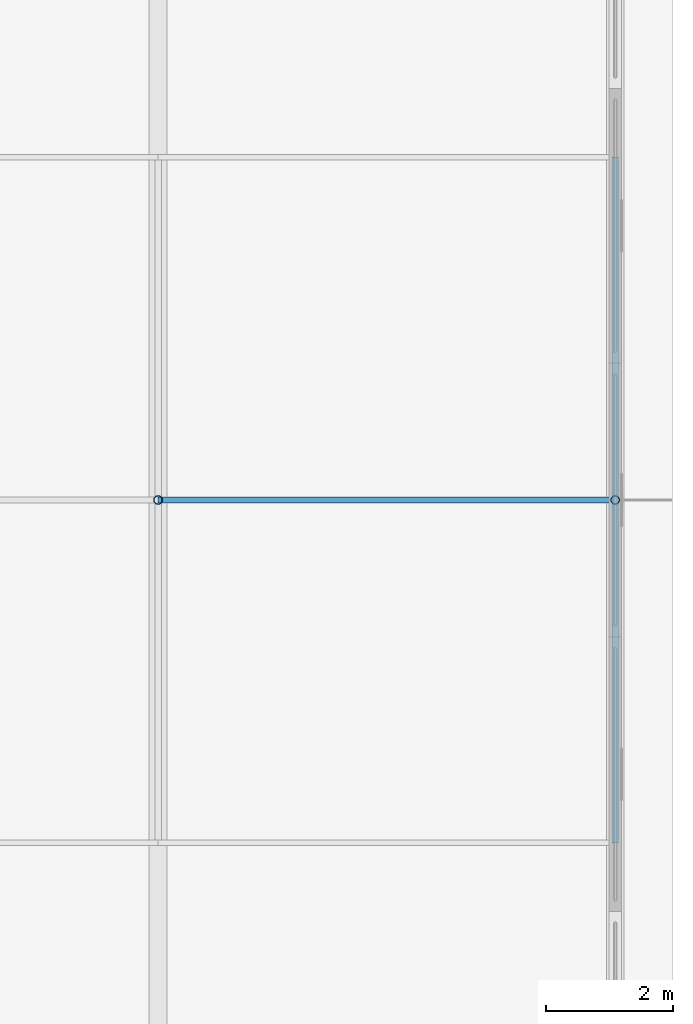
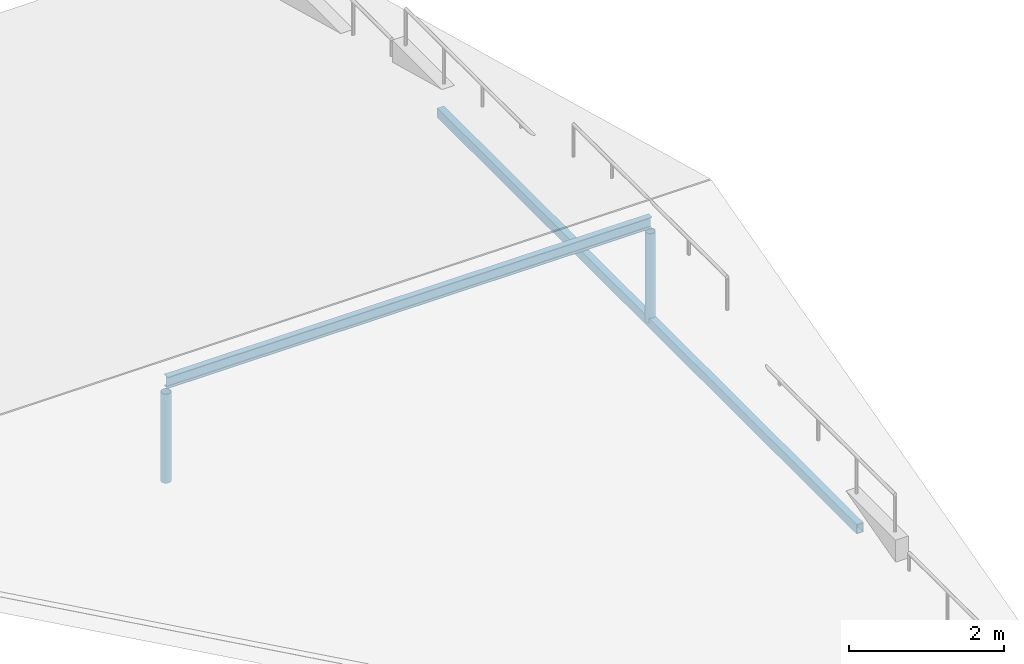
# One storey, part 12 of 22: 4 members.
"""IFC4 building model written with IfcOpenShell, lengths in metres."""

import ifcopenshell
import ifcopenshell.guid

model = None  # the IFC model being written
_history = None  # IfcOwnerHistory: only IFC2X3 demands one
_inside = {}  # id of a spatial element -> (the spatial element, [elements in it])
_under = {}  # id of a project, library or spatial element -> (it, [spatial elements below it])
_declared = {}  # id of a project -> (the project, [libraries it declares])
_typed = {}  # id of a type object -> (the type object, [elements of that type])
_made_of = {}  # id of a material, layer set ... -> (it, [elements and type objects made of it])


def new_model(schema):
    """Start an empty IFC model of exactly this schema.

    Asked for "IFC4X3", IfcOpenShell would pick the latest addendum, in which some entities
    have other attributes; the version numbers below select the first issue.
    IFC2X3 requires an IfcOwnerHistory on every rooted entity: one is made here for all.
    """
    global model, _history
    if schema == "IFC4X3":
        model = ifcopenshell.file(schema_version=(4, 3, 0, 0))
    else:
        model = ifcopenshell.file(schema=schema)
    _inside.clear()
    _under.clear()
    _declared.clear()
    _typed.clear()
    _made_of.clear()
    _history = None
    if model.schema == "IFC2X3":
        org = make("IfcOrganization", Name="unknown")
        user = make(
            "IfcPersonAndOrganization",
            ThePerson=make("IfcPerson", FamilyName="unknown"),
            TheOrganization=org,
        )
        app = make(
            "IfcApplication",
            ApplicationDeveloper=org,
            Version="unknown",
            ApplicationFullName="unknown",
            ApplicationIdentifier="unknown",
        )
        _history = make(
            "IfcOwnerHistory",
            OwningUser=user,
            OwningApplication=app,
            ChangeAction="ADDED",
            CreationDate=0,
        )
    return model


def make(cls, **values):
    """One entity of the class cls with the attributes given. An attribute that is None is left unset."""
    return model.create_entity(
        cls, **{name: value for name, value in values.items() if value is not None}
    )


def rooted(cls, **values):
    """An entity with a GlobalId (a new one), such as an element, a storey or a relation."""
    return make(cls, GlobalId=ifcopenshell.guid.new(), OwnerHistory=_history, **values)


def si_unit(unit_type, name, prefix=None):
    """IfcSIUnit, for example si_unit("LENGTHUNIT", "METRE", prefix="MILLI")."""
    return make("IfcSIUnit", UnitType=unit_type, Prefix=prefix, Name=name)


def assignment(units):
    """IfcUnitAssignment: the units of a project."""
    return None if units is None else make("IfcUnitAssignment", Units=units)


def point(xyz):
    """IfcCartesianPoint."""
    return None if xyz is None else make("IfcCartesianPoint", Coordinates=xyz)


def direction(xyz):
    """IfcDirection."""
    return None if xyz is None else make("IfcDirection", DirectionRatios=xyz)


def frame(location, z_axis=None, x_axis=None):
    """IfcAxis2Placement3D, a coordinate frame: its origin and axes. An axis left out is left unset."""
    return make(
        "IfcAxis2Placement3D",
        Location=point(location),
        Axis=direction(z_axis),
        RefDirection=direction(x_axis),
    )


def frame_2d(location, x_axis=None):
    """IfcAxis2Placement2D, a coordinate frame in the plane: its origin and x axis."""
    return make(
        "IfcAxis2Placement2D", Location=point(location), RefDirection=direction(x_axis)
    )


def origin():
    """The frame at (0, 0, 0) with its axes left unset."""
    return frame((0.0, 0.0, 0.0))


def origin_2d():
    """The frame at (0, 0) in the plane with its x axis left unset."""
    return frame_2d((0.0, 0.0))


def place(relative_to, where):
    """IfcLocalPlacement: puts the frame where relative to a parent placement (None: the world)."""
    return make(
        "IfcLocalPlacement", PlacementRelTo=relative_to, RelativePlacement=where
    )


def context(
    kind, dimensions, precision=None, world=None, true_north=None, identifier=None
):
    """IfcGeometricRepresentationContext, for example the 3D "Model" context."""
    return make(
        "IfcGeometricRepresentationContext",
        ContextIdentifier=identifier,
        ContextType=kind,
        CoordinateSpaceDimension=dimensions,
        Precision=precision,
        WorldCoordinateSystem=world,
        TrueNorth=true_north,
    )


def subcontext(parent, identifier, kind, view, scale=None):
    """IfcGeometricRepresentationSubContext, for example "Body" below "Model"."""
    return make(
        "IfcGeometricRepresentationSubContext",
        ContextIdentifier=identifier,
        ContextType=kind,
        ParentContext=parent,
        TargetScale=scale,
        TargetView=view,
    )


def project(units=None, contexts=None):
    """IfcProject with its units and contexts."""
    return rooted(
        "IfcProject",
        Name="project",
        RepresentationContexts=contexts,
        UnitsInContext=assignment(units),
    )


def spatial(cls, under=None, at=None, **own):
    """A site, building, storey or space (cls), placed at a placement, below another one or the project."""
    s = rooted(cls, ObjectPlacement=at, **own)
    if under is not None:
        _under.setdefault(under.id(), (under, []))[1].append(s)
    return s


def profile(cls, at=None, kind="AREA", **sizes):
    """A parametric profile (cls). Its sizes go by their IFC names, for example OverallWidth=200.0."""
    return make(cls, ProfileType=kind, Position=at, **sizes)


def hollow_rectangle(**sizes):
    """IfcRectangleHollowProfileDef."""
    return profile("IfcRectangleHollowProfileDef", **sizes)


def hollow_circle(**sizes):
    """IfcCircleHollowProfileDef."""
    return profile("IfcCircleHollowProfileDef", **sizes)


def i_section(**sizes):
    """IfcIShapeProfileDef."""
    return profile("IfcIShapeProfileDef", **sizes)


def extrude(swept, where, along, depth):
    """IfcExtrudedAreaSolid: the profile swept, set in the frame where, extruded along a direction by depth."""
    return make(
        "IfcExtrudedAreaSolid",
        SweptArea=swept,
        Position=where,
        ExtrudedDirection=direction(along),
        Depth=depth,
    )


def shape(context_of_items, identifier, shape_type, items):
    """IfcShapeRepresentation: the items that make up one representation, for example the "Body"."""
    return make(
        "IfcShapeRepresentation",
        ContextOfItems=context_of_items,
        RepresentationIdentifier=identifier,
        RepresentationType=shape_type,
        Items=items,
    )


def material(Name=None, Category=None):
    """IfcMaterial."""
    return make("IfcMaterial", Name=Name, Category=Category)


def material_profile(
    of_material, cross_section, Name=None, Category=None, Priority=None
):
    """IfcMaterialProfile: a cross section and its material."""
    return make(
        "IfcMaterialProfile",
        Name=Name,
        Material=of_material,
        Profile=cross_section,
        Priority=Priority,
        Category=Category,
    )


def profile_set(profiles, Name=None, composite=None):
    """IfcMaterialProfileSet."""
    return make(
        "IfcMaterialProfileSet",
        Name=Name,
        MaterialProfiles=profiles,
        CompositeProfile=composite,
    )


def made_of(thing, what):
    """Note that an element or type object is made of a material, layer set ...; save() writes the relation."""
    if what is not None:
        _made_of.setdefault(what.id(), (what, []))[1].append(thing)
    return thing


def type_object(cls, material=None, **own):
    """A type object (cls), such as IfcWallType, which elements share."""
    return made_of(rooted(cls, **own), material)


def element(
    cls,
    number,
    at=None,
    inside=None,
    cuts=None,
    type_object=None,
    material=None,
    context=None,
    identifier="Body",
    shape_type=None,
    held_by="IfcProductDefinitionShape",
    body=None,
    shapes=None,
    **own,
):
    """One element of the class cls, such as IfcWall. Its Tag is "e" and its number.

    at: its placement. inside: the storey or other place that contains it. cuts: it is an
    opening in that element (IfcRelVoidsElement). A single representation is given by context,
    identifier, shape_type and body (its items); several are given by shapes. held_by: the class
    of the entity that holds the representations. save() writes the other relations.
    """
    e = rooted(cls, Tag="e%d" % number, ObjectPlacement=at, **own)
    if body is not None:
        shapes = [shape(context, identifier, shape_type, body)]
    if shapes is not None:
        e.Representation = make(held_by, Representations=shapes)
    if inside is not None:
        _inside.setdefault(inside.id(), (inside, []))[1].append(e)
    if cuts is not None:
        rooted(
            "IfcRelVoidsElement", RelatingBuildingElement=cuts, RelatedOpeningElement=e
        )
    if type_object is not None:
        _typed.setdefault(type_object.id(), (type_object, []))[1].append(e)
    return made_of(e, material)


def aggregate(whole, parts):
    """IfcRelAggregates: a whole, such as a stair, and the parts it consists of."""
    return rooted("IfcRelAggregates", RelatingObject=whole, RelatedObjects=parts)


def save(model, path):
    """Write the relations noted so far, then the file.

    IfcRelAggregates (storeys below a building ...), IfcRelContainedInSpatialStructure (elements
    in a storey), IfcRelDefinesByType, IfcRelAssociatesMaterial and IfcRelDeclares: one each for
    every whole, place, type object, material and project.
    """
    for whole, parts in _under.values():
        aggregate(whole, parts)
    for where, things in _inside.values():
        rooted(
            "IfcRelContainedInSpatialStructure",
            RelatedElements=things,
            RelatingStructure=where,
        )
    for kind, things in _typed.values():
        rooted("IfcRelDefinesByType", RelatedObjects=things, RelatingType=kind)
    for what, things in _made_of.values():
        rooted("IfcRelAssociatesMaterial", RelatedObjects=things, RelatingMaterial=what)
    for by, libraries in _declared.values():
        rooted("IfcRelDeclares", RelatingContext=by, RelatedDefinitions=libraries)
    model.write(path)


model = new_model("IFC4")

# Units and contexts
model_context = context("Model", 3, precision=1e-05, world=origin(), true_north=direction((0.0, 1.0)))
body_context = subcontext(model_context, "Body", "Model", "MODEL_VIEW")
ifc_project = project(units=[si_unit("LENGTHUNIT", "METRE"), si_unit("AREAUNIT", "SQUARE_METRE"), si_unit("VOLUMEUNIT", "CUBIC_METRE"), si_unit("PLANEANGLEUNIT", "RADIAN"), si_unit("MASSUNIT", "GRAM", prefix="KILO"), si_unit("THERMODYNAMICTEMPERATUREUNIT", "KELVIN"), si_unit("POWERUNIT", "WATT")], contexts=[model_context])

# Site, building, storey
site_placement = place(None, origin())
site = spatial("IfcSite", under=ifc_project, at=site_placement, CompositionType="ELEMENT")
building_placement = place(site_placement, origin())
building = spatial("IfcBuilding", under=site, at=building_placement, Name="Tavuni Mirador Residences", CompositionType="ELEMENT")
storey_placement = place(building_placement, frame((0.0, 0.0, 45.449951171875)))
storey = spatial("IfcBuildingStorey", under=building, at=storey_placement, Name="L14", CompositionType="ELEMENT", Elevation=45.449951171875)

# Members
ifc_material = material(Name="Structural steel S355", Category="steel")
ifc_material_profile_1 = material_profile(ifc_material, hollow_circle(Radius=0.06982421875, WallThickness=0.008056640625, at=origin_2d()), Name="CHS 139.7x8.0", Category="steel")
ifc_profile_set_1 = profile_set([ifc_material_profile_1], Name="Structural steel S355")
member_type_1 = type_object("IfcMemberType", Name="MT-BR-CHS139", PredefinedType="BRACE", material=ifc_profile_set_1)
for number, where, z_axis, x_axis, name in (
    (1, (39.60009765625, 162.0, 1.050048828125), (0.0, 0.0, 1.0), (1.0, 0.0, 0.0), "RKP-BLK-C-03"),
    (2, (46.800048828125, 162.0, 1.050048828125), (0.0, 0.0, 1.0), (1.0, 0.0, 0.0), "RKP-BLK-C-04"),
):
    element("IfcMember", number, at=place(storey_placement, frame(where, z_axis=z_axis, x_axis=x_axis)), inside=storey, type_object=member_type_1, Name=name, PredefinedType="BRACE", context=body_context, shape_type="SweptSolid", body=[
        extrude(hollow_circle(Radius=0.06982421875, WallThickness=0.008056640625, at=origin_2d()), origin(), (0.0, 0.0, 1.0), 1.39990234375),
    ])
ifc_material_profile_2 = material_profile(ifc_material, hollow_rectangle(XDim=0.10009765625, YDim=0.14990234375, WallThickness=0.008056640625, at=origin_2d()), Name="RHS 150x100x8.0", Category="steel")
ifc_profile_set_2 = profile_set([ifc_material_profile_2], Name="Structural steel S355")
member_type_2 = type_object("IfcMemberType", Name="MT-BR-RHS150", PredefinedType="BRACE", material=ifc_profile_set_2)
member_1_placement = place(storey_placement, frame((46.800048828125, 156.60009765625, 1.050048828125), z_axis=(0.0, 1.0, 0.0), x_axis=(-1.0, 0.0, 0.0)))
element("IfcMember", 3, at=member_1_placement, inside=storey, type_object=member_type_2, Name="RTIE-BLK-C-04", PredefinedType="BRACE", context=body_context, shape_type="SweptSolid", body=[
    extrude(hollow_rectangle(XDim=0.10009765625, YDim=0.14990234375, WallThickness=0.008056640625, at=origin_2d()), origin(), (0.0, 0.0, 1.0), 10.7998046875),
])
ifc_material_profile_3 = material_profile(ifc_material, i_section(OverallWidth=0.091064453125, OverallDepth=0.179931640625, WebThickness=0.00537109375, FlangeThickness=0.008056640625, FilletRadius=0.009033203125, at=origin_2d()), Name="IPE 180", Category="steel")
ifc_profile_set_3 = profile_set([ifc_material_profile_3], Name="Structural steel S355")
member_type_3 = type_object("IfcMemberType", Name="MT-PR-IPE180", PredefinedType="PURLIN", material=ifc_profile_set_3)
member_2_placement = place(storey_placement, frame((39.60009765625, 162.0, 2.60498046875), z_axis=(1.0, 0.0, 0.0), x_axis=(0.0, 1.0, 0.0)))
element("IfcMember", 4, at=member_2_placement, inside=storey, type_object=member_type_3, Name="RPUR-BLK-C-50-03", PredefinedType="PURLIN", context=body_context, shape_type="SweptSolid", body=[
    extrude(i_section(OverallWidth=0.091064453125, OverallDepth=0.179931640625, WebThickness=0.00537109375, FlangeThickness=0.008056640625, FilletRadius=0.009033203125, at=origin_2d()), origin(), (0.0, 0.0, 1.0), 7.199951171875),
])

save(model, "model.ifc")
